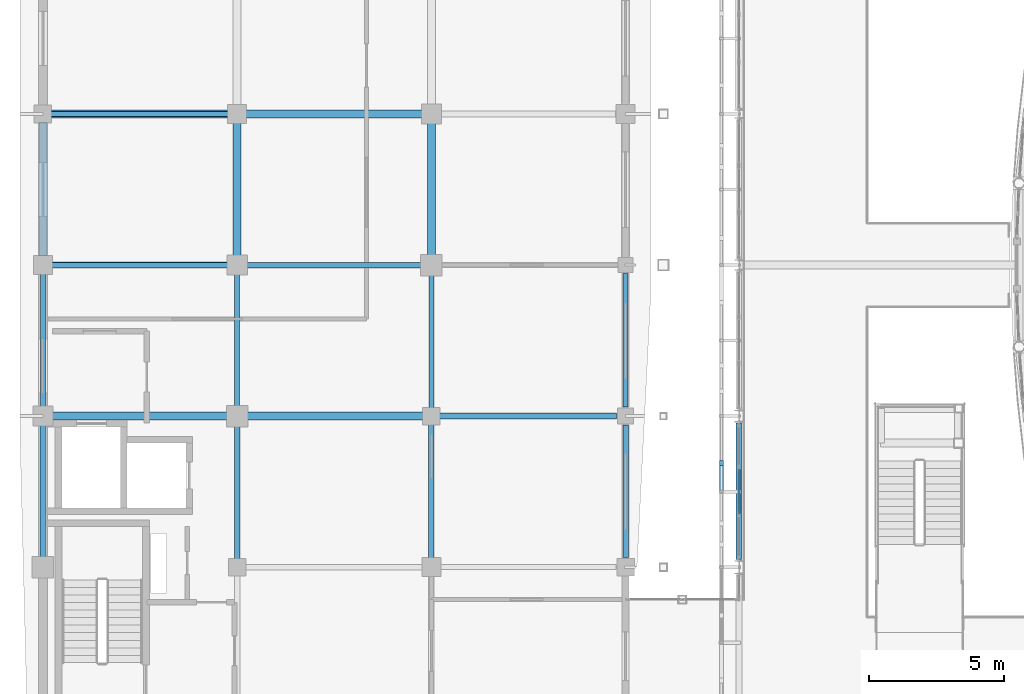
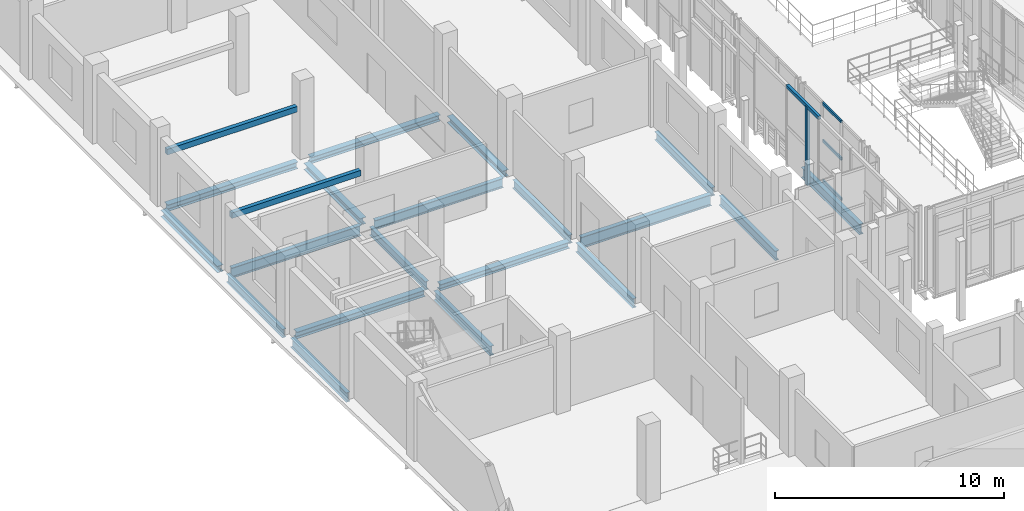
# One storey, part 37 of 121: 21 beams, 5 members, 1 element without a shape of its own.
"""IFC4 building model written with IfcOpenShell, lengths in metres."""

import ifcopenshell
import ifcopenshell.guid

model = None  # the IFC model being written
_history = None  # IfcOwnerHistory: only IFC2X3 demands one
_inside = {}  # id of a spatial element -> (the spatial element, [elements in it])
_under = {}  # id of a project, library or spatial element -> (it, [spatial elements below it])
_declared = {}  # id of a project -> (the project, [libraries it declares])
_typed = {}  # id of a type object -> (the type object, [elements of that type])
_made_of = {}  # id of a material, layer set ... -> (it, [elements and type objects made of it])


def new_model(schema):
    """Start an empty IFC model of exactly this schema.

    Asked for "IFC4X3", IfcOpenShell would pick the latest addendum, in which some entities
    have other attributes; the version numbers below select the first issue.
    IFC2X3 requires an IfcOwnerHistory on every rooted entity: one is made here for all.
    """
    global model, _history
    if schema == "IFC4X3":
        model = ifcopenshell.file(schema_version=(4, 3, 0, 0))
    else:
        model = ifcopenshell.file(schema=schema)
    _inside.clear()
    _under.clear()
    _declared.clear()
    _typed.clear()
    _made_of.clear()
    _history = None
    if model.schema == "IFC2X3":
        org = make("IfcOrganization", Name="unknown")
        user = make(
            "IfcPersonAndOrganization",
            ThePerson=make("IfcPerson", FamilyName="unknown"),
            TheOrganization=org,
        )
        app = make(
            "IfcApplication",
            ApplicationDeveloper=org,
            Version="unknown",
            ApplicationFullName="unknown",
            ApplicationIdentifier="unknown",
        )
        _history = make(
            "IfcOwnerHistory",
            OwningUser=user,
            OwningApplication=app,
            ChangeAction="ADDED",
            CreationDate=0,
        )
    return model


def make(cls, **values):
    """One entity of the class cls with the attributes given. An attribute that is None is left unset."""
    return model.create_entity(
        cls, **{name: value for name, value in values.items() if value is not None}
    )


def rooted(cls, **values):
    """An entity with a GlobalId (a new one), such as an element, a storey or a relation."""
    return make(cls, GlobalId=ifcopenshell.guid.new(), OwnerHistory=_history, **values)


def si_unit(unit_type, name, prefix=None):
    """IfcSIUnit, for example si_unit("LENGTHUNIT", "METRE", prefix="MILLI")."""
    return make("IfcSIUnit", UnitType=unit_type, Prefix=prefix, Name=name)


def assignment(units):
    """IfcUnitAssignment: the units of a project."""
    return None if units is None else make("IfcUnitAssignment", Units=units)


def point(xyz):
    """IfcCartesianPoint."""
    return None if xyz is None else make("IfcCartesianPoint", Coordinates=xyz)


def direction(xyz):
    """IfcDirection."""
    return None if xyz is None else make("IfcDirection", DirectionRatios=xyz)


def frame(location, z_axis=None, x_axis=None):
    """IfcAxis2Placement3D, a coordinate frame: its origin and axes. An axis left out is left unset."""
    return make(
        "IfcAxis2Placement3D",
        Location=point(location),
        Axis=direction(z_axis),
        RefDirection=direction(x_axis),
    )


def frame_2d(location, x_axis=None):
    """IfcAxis2Placement2D, a coordinate frame in the plane: its origin and x axis."""
    return make(
        "IfcAxis2Placement2D", Location=point(location), RefDirection=direction(x_axis)
    )


def origin():
    """The frame at (0, 0, 0) with its axes left unset."""
    return frame((0.0, 0.0, 0.0))


def origin_2d():
    """The frame at (0, 0) in the plane with its x axis left unset."""
    return frame_2d((0.0, 0.0))


def place(relative_to, where):
    """IfcLocalPlacement: puts the frame where relative to a parent placement (None: the world)."""
    return make(
        "IfcLocalPlacement", PlacementRelTo=relative_to, RelativePlacement=where
    )


def context(
    kind, dimensions, precision=None, world=None, true_north=None, identifier=None
):
    """IfcGeometricRepresentationContext, for example the 3D "Model" context."""
    return make(
        "IfcGeometricRepresentationContext",
        ContextIdentifier=identifier,
        ContextType=kind,
        CoordinateSpaceDimension=dimensions,
        Precision=precision,
        WorldCoordinateSystem=world,
        TrueNorth=true_north,
    )


def subcontext(parent, identifier, kind, view, scale=None):
    """IfcGeometricRepresentationSubContext, for example "Body" below "Model"."""
    return make(
        "IfcGeometricRepresentationSubContext",
        ContextIdentifier=identifier,
        ContextType=kind,
        ParentContext=parent,
        TargetScale=scale,
        TargetView=view,
    )


def project(units=None, contexts=None):
    """IfcProject with its units and contexts."""
    return rooted(
        "IfcProject",
        Name="project",
        RepresentationContexts=contexts,
        UnitsInContext=assignment(units),
    )


def spatial(cls, under=None, at=None, **own):
    """A site, building, storey or space (cls), placed at a placement, below another one or the project."""
    s = rooted(cls, ObjectPlacement=at, **own)
    if under is not None:
        _under.setdefault(under.id(), (under, []))[1].append(s)
    return s


def profile(cls, at=None, kind="AREA", **sizes):
    """A parametric profile (cls). Its sizes go by their IFC names, for example OverallWidth=200.0."""
    return make(cls, ProfileType=kind, Position=at, **sizes)


def rectangle(**sizes):
    """IfcRectangleProfileDef."""
    return profile("IfcRectangleProfileDef", **sizes)


def hollow_rectangle(**sizes):
    """IfcRectangleHollowProfileDef."""
    return profile("IfcRectangleHollowProfileDef", **sizes)


def i_section(**sizes):
    """IfcIShapeProfileDef."""
    return profile("IfcIShapeProfileDef", **sizes)


def extrude(swept, where, along, depth):
    """IfcExtrudedAreaSolid: the profile swept, set in the frame where, extruded along a direction by depth."""
    return make(
        "IfcExtrudedAreaSolid",
        SweptArea=swept,
        Position=where,
        ExtrudedDirection=direction(along),
        Depth=depth,
    )


def shape(context_of_items, identifier, shape_type, items):
    """IfcShapeRepresentation: the items that make up one representation, for example the "Body"."""
    return make(
        "IfcShapeRepresentation",
        ContextOfItems=context_of_items,
        RepresentationIdentifier=identifier,
        RepresentationType=shape_type,
        Items=items,
    )


def material(Name=None, Category=None):
    """IfcMaterial."""
    return make("IfcMaterial", Name=Name, Category=Category)


def layer(
    of_material, thickness, ventilated=None, Name=None, Category=None, Priority=None
):
    """IfcMaterialLayer: one layer of a wall or slab, of a material (None: an air gap)."""
    return make(
        "IfcMaterialLayer",
        Material=of_material,
        LayerThickness=thickness,
        IsVentilated=ventilated,
        Name=Name,
        Category=Category,
        Priority=Priority,
    )


def layer_set(layers, Name=None):
    """IfcMaterialLayerSet."""
    return make("IfcMaterialLayerSet", MaterialLayers=layers, LayerSetName=Name)


def material_profile(
    of_material, cross_section, Name=None, Category=None, Priority=None
):
    """IfcMaterialProfile: a cross section and its material."""
    return make(
        "IfcMaterialProfile",
        Name=Name,
        Material=of_material,
        Profile=cross_section,
        Priority=Priority,
        Category=Category,
    )


def profile_set(profiles, Name=None, composite=None):
    """IfcMaterialProfileSet."""
    return make(
        "IfcMaterialProfileSet",
        Name=Name,
        MaterialProfiles=profiles,
        CompositeProfile=composite,
    )


def made_of(thing, what):
    """Note that an element or type object is made of a material, layer set ...; save() writes the relation."""
    if what is not None:
        _made_of.setdefault(what.id(), (what, []))[1].append(thing)
    return thing


def type_object(cls, material=None, **own):
    """A type object (cls), such as IfcWallType, which elements share."""
    return made_of(rooted(cls, **own), material)


def element(
    cls,
    number,
    at=None,
    inside=None,
    cuts=None,
    type_object=None,
    material=None,
    context=None,
    identifier="Body",
    shape_type=None,
    held_by="IfcProductDefinitionShape",
    body=None,
    shapes=None,
    **own,
):
    """One element of the class cls, such as IfcWall. Its Tag is "e" and its number.

    at: its placement. inside: the storey or other place that contains it. cuts: it is an
    opening in that element (IfcRelVoidsElement). A single representation is given by context,
    identifier, shape_type and body (its items); several are given by shapes. held_by: the class
    of the entity that holds the representations. save() writes the other relations.
    """
    e = rooted(cls, Tag="e%d" % number, ObjectPlacement=at, **own)
    if body is not None:
        shapes = [shape(context, identifier, shape_type, body)]
    if shapes is not None:
        e.Representation = make(held_by, Representations=shapes)
    if inside is not None:
        _inside.setdefault(inside.id(), (inside, []))[1].append(e)
    if cuts is not None:
        rooted(
            "IfcRelVoidsElement", RelatingBuildingElement=cuts, RelatedOpeningElement=e
        )
    if type_object is not None:
        _typed.setdefault(type_object.id(), (type_object, []))[1].append(e)
    return made_of(e, material)


def aggregate(whole, parts):
    """IfcRelAggregates: a whole, such as a stair, and the parts it consists of."""
    return rooted("IfcRelAggregates", RelatingObject=whole, RelatedObjects=parts)


def save(model, path):
    """Write the relations noted so far, then the file.

    IfcRelAggregates (storeys below a building ...), IfcRelContainedInSpatialStructure (elements
    in a storey), IfcRelDefinesByType, IfcRelAssociatesMaterial and IfcRelDeclares: one each for
    every whole, place, type object, material and project.
    """
    for whole, parts in _under.values():
        aggregate(whole, parts)
    for where, things in _inside.values():
        rooted(
            "IfcRelContainedInSpatialStructure",
            RelatedElements=things,
            RelatingStructure=where,
        )
    for kind, things in _typed.values():
        rooted("IfcRelDefinesByType", RelatedObjects=things, RelatingType=kind)
    for what, things in _made_of.values():
        rooted("IfcRelAssociatesMaterial", RelatedObjects=things, RelatingMaterial=what)
    for by, libraries in _declared.values():
        rooted("IfcRelDeclares", RelatingContext=by, RelatedDefinitions=libraries)
    model.write(path)


model = new_model("IFC4")

# Units and contexts
model_context = context("Model", 3, precision=1e-05, world=origin(), true_north=direction((0.0, 1.0)))
body_context = subcontext(model_context, "Body", "Model", "MODEL_VIEW")
ifc_project = project(units=[si_unit("LENGTHUNIT", "METRE"), si_unit("AREAUNIT", "SQUARE_METRE"), si_unit("VOLUMEUNIT", "CUBIC_METRE"), si_unit("PLANEANGLEUNIT", "RADIAN"), si_unit("MASSUNIT", "GRAM", prefix="KILO")], contexts=[model_context])

# Site, building, storey
site_placement = place(None, origin())
site = spatial("IfcSite", under=ifc_project, at=site_placement, CompositionType="ELEMENT")
building_placement = place(site_placement, origin())
building = spatial("IfcBuilding", under=site, at=building_placement, Name="Vinh Khe Railworks Police Headquarters", CompositionType="ELEMENT")
storey_placement = place(building_placement, frame((0.0, 0.0, 4.800048828125)))
storey = spatial("IfcBuildingStorey", under=building, at=storey_placement, Name="L01", CompositionType="ELEMENT", Elevation=4.800048828125)

# Members
ifc_material_1 = material(Name="Salvaged ironwood timber", Category="wood")
ifc_material_profile_1 = material_profile(ifc_material_1, rectangle(XDim=0.139892578125, YDim=0.179931640625, at=origin_2d()), Name="TIMBER 140x180")
ifc_profile_set_1 = profile_set([ifc_material_profile_1], Name="Salvaged ironwood timber")
member_type_1 = type_object("IfcMemberType", Name="MEM-QUILT-STILE", PredefinedType="CHORD", material=ifc_profile_set_1)
member_1_placement = place(storey_placement, frame((25.75, 33.60009765625, 4.119873046875), z_axis=(0.0, 1.0, 0.0), x_axis=(-1.0, 0.0, 0.0)))
element("IfcMember", 1, at=member_1_placement, inside=storey, type_object=member_type_1, Name="Salvaged Timber Quilt Transom W-L01-03-TOP", PredefinedType="CHORD", context=body_context, shape_type="SweptSolid", body=[
    extrude(rectangle(XDim=0.139892578125, YDim=0.179931640625, at=origin_2d()), origin(), (0.0, 0.0, 1.0), 2.7998046875),
])
member_2_placement = place(storey_placement, frame((25.75, 34.6640625, -0.080078125), z_axis=(0.0, 0.0, 1.0), x_axis=(1.0, 0.0, 0.0)))
element("IfcMember", 2, at=member_2_placement, inside=storey, type_object=member_type_1, Name="Salvaged Timber Quilt Stile W-L01-03-V1", PredefinedType="POST", context=body_context, shape_type="SweptSolid", body=[
    extrude(rectangle(XDim=0.139892578125, YDim=0.179931640625, at=origin_2d()), origin(), (0.0, 0.0, 1.0), 4.199951171875),
])

# Beams
ifc_material_2 = material(Name="Concrete C35/45 (B35)", Category="concrete")
ifc_material_profile_2 = material_profile(ifc_material_2, rectangle(XDim=0.199951171875, YDim=0.300048828125, at=origin_2d()), Name="RC 200x300")
ifc_profile_set_2 = profile_set([ifc_material_profile_2], Name="Concrete C35/45 (B35)")
beam_type_1 = type_object("IfcBeamType", Name="RC Lintel Beam RC 200x300", PredefinedType="LINTEL", material=ifc_profile_set_2)
beam_1_placement = place(storey_placement, frame((0.929931640625, 42.0, 2.550048828125), z_axis=(1.0, 0.0, 0.0), x_axis=(0.0, 1.0, 0.0)))
element("IfcBeam", 3, at=beam_1_placement, inside=storey, type_object=beam_type_1, Name="RC Portal Lintel 05", PredefinedType="LINTEL", context=body_context, shape_type="SweptSolid", body=[
    extrude(rectangle(XDim=0.199951171875, YDim=0.300048828125, at=origin_2d()), origin(), (0.0, 0.0, 1.0), 6.51513671875),
])
beam_2_placement = place(storey_placement, frame((0.905029296875, 47.60009765625, 2.550048828125), z_axis=(1.0, 0.0, 0.0), x_axis=(0.0, 1.0, 0.0)))
element("IfcBeam", 4, at=beam_2_placement, inside=storey, type_object=beam_type_1, Name="RC Portal Lintel 06", PredefinedType="LINTEL", context=body_context, shape_type="SweptSolid", body=[
    extrude(rectangle(XDim=0.199951171875, YDim=0.300048828125, at=origin_2d()), origin(), (0.0, 0.0, 1.0), 6.56494140625),
])
ifc_material_3 = material(Name="Steel S355JR", Category="steel")
ifc_material_profile_3 = material_profile(ifc_material_3, i_section(OverallWidth=0.300048828125, OverallDepth=0.330078125, WebThickness=0.009521484375, FlangeThickness=0.0166015625, FilletRadius=0.027099609375, at=origin_2d()), Name="HEA 340")
ifc_profile_set_3 = profile_set([ifc_material_profile_3], Name="Steel S355JR")
beam_type_2 = type_object("IfcBeamType", Name="Steel Girder HEA 340", PredefinedType="BEAM", material=ifc_profile_set_3)
for number, where, z_axis, x_axis, name in (
    (5, (8.179931640625, 36.39990234375, -0.405029296875), (1.0, 0.0, 0.0), (0.0, 1.0, 0.0), "Girder BM-L01-EW-SB-16-0446"),
    (6, (8.1298828125, 47.60009765625, -0.405029296875), (1.0, 0.0, 0.0), (0.0, 1.0, 0.0), "Girder BM-L01-EW-SB-16-0452"),
):
    element("IfcBeam", number, at=place(storey_placement, frame(where, z_axis=z_axis, x_axis=x_axis)), inside=storey, type_object=beam_type_2, Name=name, PredefinedType="BEAM", context=body_context, shape_type="SweptSolid", body=[
        extrude(i_section(OverallWidth=0.300048828125, OverallDepth=0.330078125, WebThickness=0.009521484375, FlangeThickness=0.0166015625, FilletRadius=0.027099609375, at=origin_2d()), origin(), (0.0, 0.0, 1.0), 6.51513671875),
    ])
ifc_material_profile_4 = material_profile(ifc_material_3, i_section(OverallWidth=0.300048828125, OverallDepth=0.35009765625, WebThickness=0.010009765625, FlangeThickness=0.017578125, FilletRadius=0.027099609375, at=origin_2d()), Name="HEA 360")
ifc_profile_set_4 = profile_set([ifc_material_profile_4], Name="Steel S355JR")
beam_type_3 = type_object("IfcBeamType", Name="Steel Girder HEA 360", PredefinedType="BEAM", material=ifc_profile_set_4)
beam_3_placement = place(storey_placement, frame((0.955078125, 36.39990234375, -0.4150390625), z_axis=(1.0, 0.0, 0.0), x_axis=(0.0, 1.0, 0.0)))
element("IfcBeam", 7, at=beam_3_placement, inside=storey, type_object=beam_type_3, Name="Girder BM-L01-EW-SB-15-0445", PredefinedType="BEAM", context=body_context, shape_type="SweptSolid", body=[
    extrude(i_section(OverallWidth=0.300048828125, OverallDepth=0.35009765625, WebThickness=0.010009765625, FlangeThickness=0.017578125, FilletRadius=0.027099609375, at=origin_2d()), origin(), (0.0, 0.0, 1.0), 6.46484375),
])
beam_4_placement = place(storey_placement, frame((0.905029296875, 47.60009765625, -0.4150390625), z_axis=(1.0, 0.0, 0.0), x_axis=(0.0, 1.0, 0.0)))
element("IfcBeam", 8, at=beam_4_placement, inside=storey, type_object=beam_type_3, Name="Girder BM-L01-EW-SB-15-0451", PredefinedType="BEAM", context=body_context, shape_type="SweptSolid", body=[
    extrude(i_section(OverallWidth=0.300048828125, OverallDepth=0.35009765625, WebThickness=0.010009765625, FlangeThickness=0.017578125, FilletRadius=0.027099609375, at=origin_2d()), origin(), (0.0, 0.0, 1.0), 6.56494140625),
])
beam_5_placement = place(storey_placement, frame((0.60009765625, 42.330078125, -0.4150390625), z_axis=(0.0, 1.0, 0.0), x_axis=(-1.0, 0.0, 0.0)))
element("IfcBeam", 9, at=beam_5_placement, inside=storey, type_object=beam_type_3, Name="Girder BM-L01-NS-SB-15-0565", PredefinedType="BEAM", context=body_context, shape_type="SweptSolid", body=[
    extrude(i_section(OverallWidth=0.300048828125, OverallDepth=0.35009765625, WebThickness=0.010009765625, FlangeThickness=0.017578125, FilletRadius=0.027099609375, at=origin_2d()), origin(), (0.0, 0.0, 1.0), 4.96484375),
])
beam_6_placement = place(storey_placement, frame((7.800048828125, 42.35498046875, -0.4150390625), z_axis=(0.0, 1.0, 0.0), x_axis=(-1.0, 0.0, 0.0)))
element("IfcBeam", 10, at=beam_6_placement, inside=storey, type_object=beam_type_3, Name="Girder BM-L01-NS-SB-15-0583", PredefinedType="BEAM", context=body_context, shape_type="SweptSolid", body=[
    extrude(i_section(OverallWidth=0.300048828125, OverallDepth=0.35009765625, WebThickness=0.010009765625, FlangeThickness=0.017578125, FilletRadius=0.027099609375, at=origin_2d()), origin(), (0.0, 0.0, 1.0), 4.9150390625),
])
beam_7_placement = place(storey_placement, frame((15.0, 42.3798828125, -0.4150390625), z_axis=(0.0, 1.0, 0.0), x_axis=(-1.0, 0.0, 0.0)))
element("IfcBeam", 11, at=beam_7_placement, inside=storey, type_object=beam_type_3, Name="Girder BM-L01-NS-SB-15-0601", PredefinedType="BEAM", context=body_context, shape_type="SweptSolid", body=[
    extrude(i_section(OverallWidth=0.300048828125, OverallDepth=0.35009765625, WebThickness=0.010009765625, FlangeThickness=0.017578125, FilletRadius=0.027099609375, at=origin_2d()), origin(), (0.0, 0.0, 1.0), 4.865234375),
])
ifc_material_profile_5 = material_profile(ifc_material_3, i_section(OverallWidth=0.18994140625, OverallDepth=0.449951171875, WebThickness=0.009521484375, FlangeThickness=0.0146484375, FilletRadius=0.02099609375, at=origin_2d()), Name="IPE 450")
ifc_profile_set_5 = profile_set([ifc_material_profile_5], Name="Steel S355JR")
beam_type_4 = type_object("IfcBeamType", Name="Steel Girder IPE 450", PredefinedType="BEAM", material=ifc_profile_set_5)
beam_8_placement = place(storey_placement, frame((0.60009765625, 36.7548828125, -0.465087890625), z_axis=(0.0, 1.0, 0.0), x_axis=(-1.0, 0.0, 0.0)))
element("IfcBeam", 12, at=beam_8_placement, inside=storey, type_object=beam_type_4, Name="Girder BM-L01-NS-SB-20-0564", PredefinedType="BEAM", context=body_context, shape_type="SweptSolid", body=[
    extrude(i_section(OverallWidth=0.18994140625, OverallDepth=0.449951171875, WebThickness=0.009521484375, FlangeThickness=0.0146484375, FilletRadius=0.02099609375, at=origin_2d()), origin(), (0.0, 0.0, 1.0), 4.9150390625),
])
beam_9_placement = place(storey_placement, frame((7.800048828125, 36.780029296875, -0.465087890625), z_axis=(0.0, 1.0, 0.0), x_axis=(-1.0, 0.0, 0.0)))
element("IfcBeam", 13, at=beam_9_placement, inside=storey, type_object=beam_type_4, Name="Girder BM-L01-NS-SB-20-0582", PredefinedType="BEAM", context=body_context, shape_type="SweptSolid", body=[
    extrude(i_section(OverallWidth=0.18994140625, OverallDepth=0.449951171875, WebThickness=0.009521484375, FlangeThickness=0.0146484375, FilletRadius=0.02099609375, at=origin_2d()), origin(), (0.0, 0.0, 1.0), 4.864990234375),
])
beam_10_placement = place(storey_placement, frame((15.0, 36.705078125, -0.465087890625), z_axis=(0.0, 1.0, 0.0), x_axis=(-1.0, 0.0, 0.0)))
element("IfcBeam", 14, at=beam_10_placement, inside=storey, type_object=beam_type_4, Name="Girder BM-L01-NS-SB-20-0600", PredefinedType="BEAM", context=body_context, shape_type="SweptSolid", body=[
    extrude(i_section(OverallWidth=0.18994140625, OverallDepth=0.449951171875, WebThickness=0.009521484375, FlangeThickness=0.0146484375, FilletRadius=0.02099609375, at=origin_2d()), origin(), (0.0, 0.0, 1.0), 4.9150390625),
])
beam_11_placement = place(storey_placement, frame((22.199951171875, 36.72998046875, -0.465087890625), z_axis=(0.0, 1.0, 0.0), x_axis=(-1.0, 0.0, 0.0)))
element("IfcBeam", 15, at=beam_11_placement, inside=storey, type_object=beam_type_4, Name="Girder BM-L01-NS-SB-20-0618", PredefinedType="BEAM", context=body_context, shape_type="SweptSolid", body=[
    extrude(i_section(OverallWidth=0.18994140625, OverallDepth=0.449951171875, WebThickness=0.009521484375, FlangeThickness=0.0146484375, FilletRadius=0.02099609375, at=origin_2d()), origin(), (0.0, 0.0, 1.0), 4.965087890625),
])
ifc_material_profile_6 = material_profile(ifc_material_3, i_section(OverallWidth=0.199951171875, OverallDepth=0.5, WebThickness=0.01025390625, FlangeThickness=0.01611328125, FilletRadius=0.02099609375, at=origin_2d()), Name="IPE 500")
ifc_profile_set_6 = profile_set([ifc_material_profile_6], Name="Steel S355JR")
beam_type_5 = type_object("IfcBeamType", Name="Steel Girder IPE 500", PredefinedType="BEAM", material=ifc_profile_set_6)
beam_12_placement = place(storey_placement, frame((8.155029296875, 42.0, -0.489990234375), z_axis=(1.0, 0.0, 0.0), x_axis=(0.0, 1.0, 0.0)))
element("IfcBeam", 16, at=beam_12_placement, inside=storey, type_object=beam_type_5, Name="Girder BM-L01-EW-SB-19-0449", PredefinedType="BEAM", context=body_context, shape_type="SweptSolid", body=[
    extrude(i_section(OverallWidth=0.199951171875, OverallDepth=0.5, WebThickness=0.01025390625, FlangeThickness=0.01611328125, FilletRadius=0.02099609375, at=origin_2d()), origin(), (0.0, 0.0, 1.0), 6.465087890625),
])
beam_13_placement = place(storey_placement, frame((0.60009765625, 31.179931640625, -0.489990234375), z_axis=(0.0, 1.0, 0.0), x_axis=(-1.0, 0.0, 0.0)))
element("IfcBeam", 17, at=beam_13_placement, inside=storey, type_object=beam_type_5, Name="Girder BM-L01-NS-SB-19-0563", PredefinedType="BEAM", context=body_context, shape_type="SweptSolid", body=[
    extrude(i_section(OverallWidth=0.199951171875, OverallDepth=0.5, WebThickness=0.01025390625, FlangeThickness=0.01611328125, FilletRadius=0.02099609375, at=origin_2d()), origin(), (0.0, 0.0, 1.0), 4.864990234375),
])
beam_14_placement = place(storey_placement, frame((7.800048828125, 31.10498046875, -0.489990234375), z_axis=(0.0, 1.0, 0.0), x_axis=(-1.0, 0.0, 0.0)))
element("IfcBeam", 18, at=beam_14_placement, inside=storey, type_object=beam_type_5, Name="Girder BM-L01-NS-SB-19-0581", PredefinedType="BEAM", context=body_context, shape_type="SweptSolid", body=[
    extrude(i_section(OverallWidth=0.199951171875, OverallDepth=0.5, WebThickness=0.01025390625, FlangeThickness=0.01611328125, FilletRadius=0.02099609375, at=origin_2d()), origin(), (0.0, 0.0, 1.0), 4.9150390625),
])
beam_15_placement = place(storey_placement, frame((15.0, 31.1298828125, -0.489990234375), z_axis=(0.0, 1.0, 0.0), x_axis=(-1.0, 0.0, 0.0)))
element("IfcBeam", 19, at=beam_15_placement, inside=storey, type_object=beam_type_5, Name="Girder BM-L01-NS-SB-19-0599", PredefinedType="BEAM", context=body_context, shape_type="SweptSolid", body=[
    extrude(i_section(OverallWidth=0.199951171875, OverallDepth=0.5, WebThickness=0.01025390625, FlangeThickness=0.01611328125, FilletRadius=0.02099609375, at=origin_2d()), origin(), (0.0, 0.0, 1.0), 4.965087890625),
])
beam_16_placement = place(storey_placement, frame((22.199951171875, 31.155029296875, -0.489990234375), z_axis=(0.0, 1.0, 0.0), x_axis=(-1.0, 0.0, 0.0)))
element("IfcBeam", 20, at=beam_16_placement, inside=storey, type_object=beam_type_5, Name="Girder BM-L01-NS-SB-19-0617", PredefinedType="BEAM", context=body_context, shape_type="SweptSolid", body=[
    extrude(i_section(OverallWidth=0.199951171875, OverallDepth=0.5, WebThickness=0.01025390625, FlangeThickness=0.01611328125, FilletRadius=0.02099609375, at=origin_2d()), origin(), (0.0, 0.0, 1.0), 4.9150390625),
])
ifc_material_profile_7 = material_profile(ifc_material_3, i_section(OverallWidth=0.2099609375, OverallDepth=0.550048828125, WebThickness=0.010986328125, FlangeThickness=0.01708984375, FilletRadius=0.02392578125, at=origin_2d()), Name="IPE 550")
ifc_profile_set_7 = profile_set([ifc_material_profile_7], Name="Steel S355JR")
beam_type_6 = type_object("IfcBeamType", Name="Steel Girder IPE 550", PredefinedType="BEAM", material=ifc_profile_set_7)
beam_17_placement = place(storey_placement, frame((0.929931640625, 42.0, -0.51513671875), z_axis=(1.0, 0.0, 0.0), x_axis=(0.0, 1.0, 0.0)))
element("IfcBeam", 21, at=beam_17_placement, inside=storey, type_object=beam_type_6, Name="Girder BM-L01-EW-SB-18-0448", PredefinedType="BEAM", context=body_context, shape_type="SweptSolid", body=[
    extrude(i_section(OverallWidth=0.2099609375, OverallDepth=0.550048828125, WebThickness=0.010986328125, FlangeThickness=0.01708984375, FilletRadius=0.02392578125, at=origin_2d()), origin(), (0.0, 0.0, 1.0), 6.51513671875),
])
beam_18_placement = place(storey_placement, frame((26.39990234375, 31.080078125, -0.51513671875), z_axis=(0.0, 1.0, 0.0), x_axis=(-1.0, 0.0, 0.0)))
element("IfcBeam", 22, at=beam_18_placement, inside=storey, type_object=beam_type_6, Name="Girder BM-L01-NS-SB-18-0634", PredefinedType="BEAM", context=body_context, shape_type="SweptSolid", body=[
    extrude(i_section(OverallWidth=0.2099609375, OverallDepth=0.550048828125, WebThickness=0.010986328125, FlangeThickness=0.01708984375, FilletRadius=0.02392578125, at=origin_2d()), origin(), (0.0, 0.0, 1.0), 5.06494140625),
])
ifc_material_profile_8 = material_profile(ifc_material_3, i_section(OverallWidth=0.219970703125, OverallDepth=0.60009765625, WebThickness=0.011962890625, FlangeThickness=0.01904296875, FilletRadius=0.02392578125, at=origin_2d()), Name="IPE 600")
ifc_profile_set_8 = profile_set([ifc_material_profile_8], Name="Steel S355JR")
beam_type_7 = type_object("IfcBeamType", Name="Steel Girder IPE 600", PredefinedType="BEAM", material=ifc_profile_set_8)
beam_19_placement = place(storey_placement, frame((15.304931640625, 36.39990234375, -0.5400390625), z_axis=(1.0, 0.0, 0.0), x_axis=(0.0, 1.0, 0.0)))
element("IfcBeam", 23, at=beam_19_placement, inside=storey, type_object=beam_type_7, Name="Girder BM-L01-EW-SB-17-0447", PredefinedType="BEAM", context=body_context, shape_type="SweptSolid", body=[
    extrude(i_section(OverallWidth=0.219970703125, OverallDepth=0.60009765625, WebThickness=0.011962890625, FlangeThickness=0.01904296875, FilletRadius=0.02392578125, at=origin_2d()), origin(), (0.0, 0.0, 1.0), 6.565185546875),
])

# Curtain wall, members
ifc_material_4 = material(Name="Anodised aluminium and low-iron glass", Category="aluminium")
ifc_layer = layer(ifc_material_4, 0.179931640625)
ifc_layer_set = layer_set([ifc_layer], Name="Anodised aluminium and low-iron glass")
curtain_wall_type = type_object("IfcCurtainWallType", Name="CW-CUBE-UNIT", PredefinedType="USERDEFINED", material=ifc_layer_set)
curtain_wall_placement = place(storey_placement, origin())
curtain_wall = element("IfcCurtainWall", 24, at=curtain_wall_placement, inside=storey, type_object=curtain_wall_type, Name="Entrance Hall Curtain Wall L01 W-2", ObjectType="UNITISED GLAZING", PredefinedType="USERDEFINED")
ifc_material_5 = material(Name="Anodised aluminium 6063-T6", Category="aluminium")
ifc_material_profile_9 = material_profile(ifc_material_5, hollow_rectangle(XDim=0.070068359375, YDim=0.14990234375, WallThickness=0.0048828125, at=origin_2d()), Name="CW-T 70x150x5")
ifc_profile_set_9 = profile_set([ifc_material_profile_9], Name="Anodised aluminium 6063-T6")
member_type_2 = type_object("IfcMemberType", Name="TRAN-CWT-03", PredefinedType="USERDEFINED", material=ifc_profile_set_9)
member_3_placement = place(storey_placement, frame((26.39990234375, 32.79833984375, 0.034912109375), z_axis=(0.0, 1.0, 0.0), x_axis=(-1.0, 0.0, 0.0)))
member_3 = element("IfcMember", 25, at=member_3_placement, type_object=member_type_2, Name="CW-01 transom 2.1", ObjectType="TRANSOM", PredefinedType="USERDEFINED", context=body_context, shape_type="SweptSolid", body=[
    extrude(hollow_rectangle(XDim=0.070068359375, YDim=0.14990234375, WallThickness=0.0048828125, at=origin_2d()), origin(), (0.0, 0.0, 1.0), 1.62841796875),
])
member_4_placement = place(storey_placement, frame((26.39990234375, 32.79833984375, 2.183837890625), z_axis=(0.0, 1.0, 0.0), x_axis=(-1.0, 0.0, 0.0)))
member_4 = element("IfcMember", 26, at=member_4_placement, type_object=member_type_2, Name="CW-01 transom 2.2", ObjectType="TRANSOM", PredefinedType="USERDEFINED", context=body_context, shape_type="SweptSolid", body=[
    extrude(hollow_rectangle(XDim=0.070068359375, YDim=0.14990234375, WallThickness=0.0048828125, at=origin_2d()), origin(), (0.0, 0.0, 1.0), 1.62841796875),
])
member_5_placement = place(storey_placement, frame((26.39990234375, 32.79833984375, 4.1650390625), z_axis=(0.0, 1.0, 0.0), x_axis=(-1.0, 0.0, 0.0)))
member_5 = element("IfcMember", 27, at=member_5_placement, type_object=member_type_2, Name="CW-01 transom 2.3", ObjectType="TRANSOM", PredefinedType="USERDEFINED", context=body_context, shape_type="SweptSolid", body=[
    extrude(hollow_rectangle(XDim=0.070068359375, YDim=0.14990234375, WallThickness=0.0048828125, at=origin_2d()), origin(), (0.0, 0.0, 1.0), 1.62841796875),
])
aggregate(curtain_wall, [member_3, member_4, member_5])

save(model, "model.ifc")
